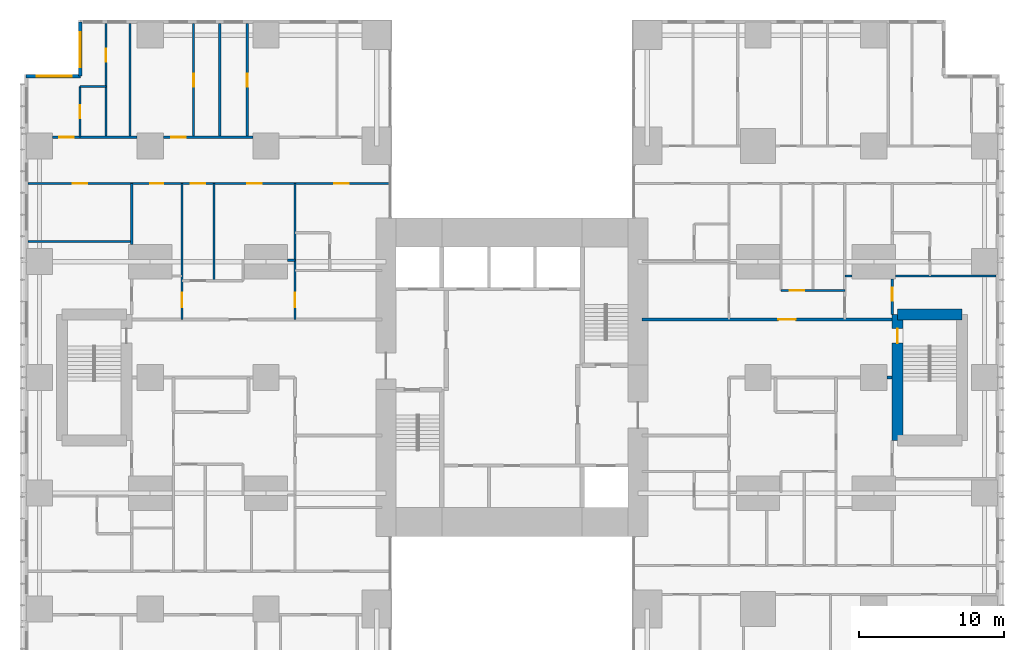
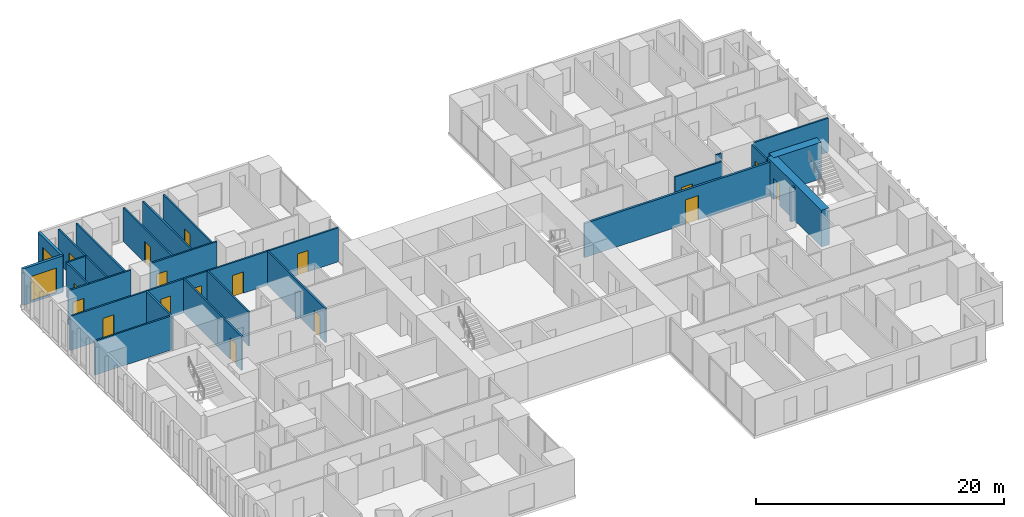
# One storey, part 16 of 20: 26 walls, 17 doors, 2 windows, 19 openings.
"""IFC4 building model written with IfcOpenShell, lengths in metres."""

from ifc_helpers import new_model, si_unit, direction, frame, frame_2d, origin, place, context, subcontext, project, spatial, rectangle, extrude, material, layer, layer_set, type_object, element, fill, save


model = new_model("IFC4")

# Units and contexts
model_context = context("Model", 3, precision=1e-05, world=origin(), true_north=direction((0.0, 1.0)))
body_context = subcontext(model_context, "Body", "Model", "MODEL_VIEW")
ifc_project = project(units=[si_unit("LENGTHUNIT", "METRE"), si_unit("AREAUNIT", "SQUARE_METRE"), si_unit("VOLUMEUNIT", "CUBIC_METRE"), si_unit("PLANEANGLEUNIT", "RADIAN"), si_unit("MASSUNIT", "GRAM", prefix="KILO")], contexts=[model_context])

# Site, building, storey
site_placement = place(None, origin())
site = spatial("IfcSite", under=ifc_project, at=site_placement, CompositionType="ELEMENT")
building_placement = place(site_placement, origin())
building = spatial("IfcBuilding", under=site, at=building_placement, Name="Cleftline Residences", CompositionType="ELEMENT")
storey_placement = place(building_placement, frame((0.0, 0.0, 214.60009765625)))
storey = spatial("IfcBuildingStorey", under=building, at=storey_placement, Name="L56", CompositionType="ELEMENT", Elevation=214.60009765625)

# Wall, opening, window
ifc_material_1 = material(Name="Rendered reinforced concrete blockwork", Category="masonry")
ifc_layer_1 = layer(ifc_material_1, 0.25)
ifc_layer_set_1 = layer_set([ifc_layer_1], Name="EXTERNAL WALL 250")
wall_type_1 = type_object("IfcWallType", Name="EXTERNAL WALL 250", PredefinedType="SOLIDWALL", material=ifc_layer_set_1)
wall_1_placement = place(storey_placement, frame((3.175048828125, 48.574951171875, 0.0), z_axis=(0.0, 0.0, 1.0), x_axis=(0.0, -1.0, 0.0)))
wall_1 = element("IfcWall", 1, at=wall_1_placement, inside=storey, type_object=wall_type_1, Name="External wall", PredefinedType="SOLIDWALL", context=body_context, shape_type="SweptSolid", body=[
    extrude(rectangle(XDim=3.75, YDim=0.25, at=frame_2d((1.875, 0.0))), origin(), (0.0, 0.0, 1.0), 3.599853515625),
])
opening_1_placement = place(wall_1_placement, frame((0.737548828125, 0.0, 0.199951171875)))
opening_1 = element("IfcOpeningElement", 2, at=opening_1_placement, cuts=wall_1, Name="Opening W9", PredefinedType="OPENING", context=body_context, shape_type="SweptSolid", body=[
    extrude(rectangle(XDim=2.39990234375, YDim=2.39990234375, at=frame_2d((1.199951171875, 1.199951171875))), frame((0.0, 0.135009765625, 0.0), z_axis=(0.0, -1.0, 0.0), x_axis=(1.0, 0.0, 0.0)), (0.0, 0.0, 1.0), 0.27001953125),
])
ifc_material_2 = material(Name="Aluminium frame, clear double glazing", Category="aluminium")
window_type = type_object("IfcWindowType", Name="WINDOW 2400X2400", PartitioningType="DOUBLE_PANEL_VERTICAL", PredefinedType="WINDOW", material=ifc_material_2)
window_1_placement = place(opening_1_placement, origin())
window_1 = element("IfcWindow", 3, at=window_1_placement, inside=storey, type_object=window_type, Name="Window", OverallHeight=2.39990234375, OverallWidth=2.39990234375, PartitioningType="SINGLE_PANEL", PredefinedType="WINDOW", context=body_context, shape_type="SweptSolid", body=[
    extrude(rectangle(XDim=2.39990234375, YDim=2.39990234375, at=frame_2d((1.199951171875, 1.199951171875))), frame((0.0, 0.030029296875, 0.0), z_axis=(0.0, -1.0, 0.0), x_axis=(1.0, 0.0, 0.0)), (0.0, 0.0, 1.0), 0.06005859375),
])
fill(opening_1, window_1)

wall_2_placement = place(storey_placement, frame((3.175048828125, 44.824951171875, 0.0), z_axis=(0.0, 0.0, 1.0), x_axis=(-1.0, 0.0, 0.0)))
wall_2 = element("IfcWall", 4, at=wall_2_placement, inside=storey, type_object=wall_type_1, Name="External wall", PredefinedType="SOLIDWALL", context=body_context, shape_type="SweptSolid", body=[
    extrude(rectangle(XDim=3.75, YDim=0.25, at=frame_2d((1.875, 0.0))), origin(), (0.0, 0.0, 1.0), 3.599853515625),
])
opening_2_placement = place(wall_2_placement, frame((0.612548828125, 0.0, 0.199951171875)))
opening_2 = element("IfcOpeningElement", 5, at=opening_2_placement, cuts=wall_2, Name="Opening W9", PredefinedType="OPENING", context=body_context, shape_type="SweptSolid", body=[
    extrude(rectangle(XDim=2.39990234375, YDim=2.39990234375, at=frame_2d((1.199951171875, 1.199951171875))), frame((0.0, 0.135009765625, 0.0), z_axis=(0.0, -1.0, 0.0), x_axis=(1.0, 0.0, 0.0)), (0.0, 0.0, 1.0), 0.27001953125),
])
window_2_placement = place(opening_2_placement, origin())
window_2 = element("IfcWindow", 6, at=window_2_placement, inside=storey, type_object=window_type, Name="Window", OverallHeight=2.39990234375, OverallWidth=2.39990234375, PartitioningType="SINGLE_PANEL", PredefinedType="WINDOW", context=body_context, shape_type="SweptSolid", body=[
    extrude(rectangle(XDim=2.39990234375, YDim=2.39990234375, at=frame_2d((1.199951171875, 1.199951171875))), frame((0.0, 0.030029296875, 0.0), z_axis=(0.0, -1.0, 0.0), x_axis=(1.0, 0.0, 0.0)), (0.0, 0.0, 1.0), 0.06005859375),
])
fill(opening_2, window_2)

# Wall
ifc_material_3 = material(Name="Concrete blockwork, fire rated", Category="masonry")
ifc_layer_2 = layer(ifc_material_3, 0.199951171875)
ifc_layer_set_2 = layer_set([ifc_layer_2], Name="FIRE WALL 200")
wall_type_2 = type_object("IfcWallType", Name="FIRE WALL 200", PredefinedType="PARTITIONING", material=ifc_layer_set_2)
wall_3_placement = place(storey_placement, frame((58.89990234375, 24.0, 0.0), z_axis=(0.0, 0.0, 1.0), x_axis=(1.0, 0.0, 0.0)))
element("IfcWall", 7, at=wall_3_placement, inside=storey, type_object=wall_type_2, Name="Fire separating wall", PredefinedType="PARTITIONING", context=body_context, shape_type="SweptSolid", body=[
    extrude(rectangle(XDim=0.375, YDim=0.199951171875, at=frame_2d((0.1875, 0.0))), origin(), (0.0, 0.0, 1.0), 3.349853515625),
])

# Wall, opening, door
wall_4_placement = place(storey_placement, frame((42.0, 28.0, 0.0), z_axis=(0.0, 0.0, 1.0), x_axis=(1.0, 0.0, 0.0)))
wall_4 = element("IfcWall", 8, at=wall_4_placement, inside=storey, type_object=wall_type_2, Name="Fire separating wall", PredefinedType="PARTITIONING", context=body_context, shape_type="SweptSolid", body=[
    extrude(rectangle(XDim=17.27490234375, YDim=0.199951171875, at=frame_2d((8.637451171875, 0.0))), origin(), (0.0, 0.0, 1.0), 3.349853515625),
])
opening_3_placement = place(wall_4_placement, frame((9.39990234375, 0.0, 0.0)))
opening_3 = element("IfcOpeningElement", 9, at=opening_3_placement, cuts=wall_4, Name="Opening D4", PredefinedType="OPENING", context=body_context, shape_type="SweptSolid", body=[
    extrude(rectangle(XDim=1.199951171875, YDim=2.39990234375, at=frame_2d((0.60009765625, 1.199951171875))), frame((0.0, 0.10986328125, 0.0), z_axis=(0.0, -1.0, 0.0), x_axis=(1.0, 0.0, 0.0)), (0.0, 0.0, 1.0), 0.219970703125),
])
ifc_material_4 = material(Name="Timber veneer on solid core", Category="wood")
door_type_1 = type_object("IfcDoorType", Name="APARTMENT ENTRANCE DOOR 1200X2400", OperationType="SINGLE_SWING_RIGHT", PredefinedType="DOOR", material=ifc_material_4)
door_1_placement = place(opening_3_placement, origin())
door_1 = element("IfcDoor", 10, at=door_1_placement, inside=storey, type_object=door_type_1, Name="Door to residence entrance (gallery)", OperationType="SINGLE_SWING_LEFT", OverallHeight=2.39990234375, OverallWidth=1.199951171875, PredefinedType="DOOR", context=body_context, shape_type="SweptSolid", body=[
    extrude(rectangle(XDim=1.199951171875, YDim=2.39990234375, at=frame_2d((0.60009765625, 1.199951171875))), frame((0.0, 0.02490234375, 0.0), z_axis=(0.0, -1.0, 0.0), x_axis=(1.0, 0.0, 0.0)), (0.0, 0.0, 1.0), 0.050048828125),
])
fill(opening_3, door_1)

ifc_material_5 = material(Name="Gypsum board on steel studs", Category="steel")
ifc_layer_3 = layer(ifc_material_5, 0.14990234375)
ifc_layer_set_3 = layer_set([ifc_layer_3], Name="PARTITION 150")
wall_type_3 = type_object("IfcWallType", Name="PARTITION 150", PredefinedType="PARTITIONING", material=ifc_layer_set_3)
wall_5_placement = place(storey_placement, frame((51.60009765625, 30.0, 0.0), z_axis=(0.0, 0.0, 1.0), x_axis=(1.0, 0.0, 0.0)))
wall_5 = element("IfcWall", 11, at=wall_5_placement, inside=storey, type_object=wall_type_3, Name="Partition", PredefinedType="PARTITIONING", context=body_context, shape_type="SweptSolid", body=[
    extrude(rectangle(XDim=4.39990234375, YDim=0.14990234375, at=frame_2d((2.199951171875, 0.0))), origin(), (0.0, 0.0, 1.0), 3.349853515625),
])
opening_4_placement = place(wall_5_placement, frame((0.60009765625, 0.0, 0.0)))
opening_4 = element("IfcOpeningElement", 12, at=opening_4_placement, cuts=wall_5, Name="Opening D2", PredefinedType="OPENING", context=body_context, shape_type="SweptSolid", body=[
    extrude(rectangle(XDim=1.0, YDim=2.10009765625, at=frame_2d((0.5, 1.050048828125))), frame((0.0, 0.0849609375, 0.0), z_axis=(0.0, -1.0, 0.0), x_axis=(1.0, 0.0, 0.0)), (0.0, 0.0, 1.0), 0.169921875),
])
ifc_material_6 = material(Name="Timber veneer on solid core", Category="wood")
door_type_2 = type_object("IfcDoorType", Name="DOOR 1000X2100", OperationType="SINGLE_SWING_LEFT", PredefinedType="DOOR", material=ifc_material_6)
door_2_placement = place(opening_4_placement, origin())
door_2 = element("IfcDoor", 13, at=door_2_placement, inside=storey, type_object=door_type_2, Name="Door to residence passage", OperationType="SINGLE_SWING_RIGHT", OverallHeight=2.10009765625, OverallWidth=1.0, PredefinedType="DOOR", context=body_context, shape_type="SweptSolid", body=[
    extrude(rectangle(XDim=1.0, YDim=2.10009765625, at=frame_2d((0.5, 1.050048828125))), frame((0.0, 0.02490234375, 0.0), z_axis=(0.0, -1.0, 0.0), x_axis=(1.0, 0.0, 0.0)), (0.0, 0.0, 1.0), 0.050048828125),
])
fill(opening_4, door_2)

# Walls
wall_6_placement = place(storey_placement, frame((56.0, 31.0, 0.0), z_axis=(0.0, 0.0, 1.0), x_axis=(1.0, 0.0, 0.0)))
element("IfcWall", 14, at=wall_6_placement, inside=storey, type_object=wall_type_3, Name="Partition", PredefinedType="PARTITIONING", context=body_context, shape_type="SweptSolid", body=[
    extrude(rectangle(XDim=0.5, YDim=0.14990234375, at=frame_2d((0.25, 0.0))), origin(), (0.0, 0.0, 1.0), 3.349853515625),
])
wall_7_placement = place(storey_placement, frame((59.5, 31.0, 0.0), z_axis=(0.0, 0.0, 1.0), x_axis=(1.0, 0.0, 0.0)))
element("IfcWall", 15, at=wall_7_placement, inside=storey, type_object=wall_type_3, Name="Partition", PredefinedType="PARTITIONING", context=body_context, shape_type="SweptSolid", body=[
    extrude(rectangle(XDim=6.949951171875, YDim=0.14990234375, at=frame_2d((3.47509765625, 0.0))), origin(), (0.0, 0.0, 1.0), 3.349853515625),
])
wall_8_placement = place(storey_placement, frame((17.5, 32.10009765625, 0.0), z_axis=(0.0, 0.0, 1.0), x_axis=(1.0, 0.0, 0.0)))
element("IfcWall", 16, at=wall_8_placement, inside=storey, type_object=wall_type_3, Name="Partition", PredefinedType="PARTITIONING", context=body_context, shape_type="SweptSolid", body=[
    extrude(rectangle(XDim=0.5, YDim=0.14990234375, at=frame_2d((0.25, 0.0))), origin(), (0.0, 0.0, 1.0), 2.6337890625),
])
wall_9_placement = place(storey_placement, frame((-0.449951171875, 33.39990234375, 0.0), z_axis=(0.0, 0.0, 1.0), x_axis=(1.0, 0.0, 0.0)))
element("IfcWall", 17, at=wall_9_placement, inside=storey, type_object=wall_type_3, Name="Partition", PredefinedType="PARTITIONING", context=body_context, shape_type="SweptSolid", body=[
    extrude(rectangle(XDim=7.175048828125, YDim=0.14990234375, at=frame_2d((3.58740234375, 0.0))), origin(), (0.0, 0.0, 1.0), 3.349853515625),
])

# Wall, openings, doors
wall_10_placement = place(storey_placement, frame((-0.449951171875, 37.39990234375, 0.0), z_axis=(0.0, 0.0, 1.0), x_axis=(1.0, 0.0, 0.0)))
wall_10 = element("IfcWall", 18, at=wall_10_placement, inside=storey, type_object=wall_type_3, Name="Partition", PredefinedType="PARTITIONING", context=body_context, shape_type="SweptSolid", body=[
    extrude(rectangle(XDim=25.010986328125, YDim=0.14990234375, at=frame_2d((12.50537109375, 0.0))), origin(), (0.0, 0.0, 1.0), 3.349853515625),
])
opening_5_placement = place(wall_10_placement, frame((11.25, 0.0, 0.0)))
opening_5 = element("IfcOpeningElement", 19, at=opening_5_placement, cuts=wall_10, Name="Opening D2", PredefinedType="OPENING", context=body_context, shape_type="SweptSolid", body=[
    extrude(rectangle(XDim=1.0, YDim=2.10009765625, at=frame_2d((0.5, 1.050048828125))), frame((0.0, 0.0849609375, 0.0), z_axis=(0.0, -1.0, 0.0), x_axis=(1.0, 0.0, 0.0)), (0.0, 0.0, 1.0), 0.169921875),
])
opening_6_placement = place(wall_10_placement, frame((3.08740234375, 0.0, 0.0)))
opening_6 = element("IfcOpeningElement", 20, at=opening_6_placement, cuts=wall_10, Name="Opening D2", PredefinedType="OPENING", context=body_context, shape_type="SweptSolid", body=[
    extrude(rectangle(XDim=1.0, YDim=2.10009765625, at=frame_2d((0.5, 1.050048828125))), frame((0.0, 0.0849609375, 0.0), z_axis=(0.0, -1.0, 0.0), x_axis=(1.0, 0.0, 0.0)), (0.0, 0.0, 1.0), 0.169921875),
])
opening_7_placement = place(wall_10_placement, frame((8.46240234375, 0.0, 0.0)))
opening_7 = element("IfcOpeningElement", 21, at=opening_7_placement, cuts=wall_10, Name="Opening D1", PredefinedType="OPENING", context=body_context, shape_type="SweptSolid", body=[
    extrude(rectangle(XDim=0.89990234375, YDim=2.10009765625, at=frame_2d((0.449951171875, 1.050048828125))), frame((0.0, 0.0849609375, 0.0), z_axis=(0.0, -1.0, 0.0), x_axis=(1.0, 0.0, 0.0)), (0.0, 0.0, 1.0), 0.169921875),
])
opening_8_placement = place(wall_10_placement, frame((15.14990234375, 0.0, 0.0)))
opening_8 = element("IfcOpeningElement", 22, at=opening_8_placement, cuts=wall_10, Name="Opening D2", PredefinedType="OPENING", context=body_context, shape_type="SweptSolid", body=[
    extrude(rectangle(XDim=1.0, YDim=2.10009765625, at=frame_2d((0.5, 1.050048828125))), frame((0.0, 0.0849609375, 0.0), z_axis=(0.0, -1.0, 0.0), x_axis=(1.0, 0.0, 0.0)), (0.0, 0.0, 1.0), 0.169921875),
])
opening_9_placement = place(wall_10_placement, frame((21.175048828125, 0.0, 0.0)))
opening_9 = element("IfcOpeningElement", 23, at=opening_9_placement, cuts=wall_10, Name="Opening D2", PredefinedType="OPENING", context=body_context, shape_type="SweptSolid", body=[
    extrude(rectangle(XDim=1.0, YDim=2.10009765625, at=frame_2d((0.5, 1.050048828125))), frame((0.0, 0.0849609375, 0.0), z_axis=(0.0, -1.0, 0.0), x_axis=(1.0, 0.0, 0.0)), (0.0, 0.0, 1.0), 0.169921875),
])
door_3_placement = place(opening_5_placement, origin())
door_3 = element("IfcDoor", 24, at=door_3_placement, inside=storey, type_object=door_type_2, Name="Door to residence hall", OperationType="SINGLE_SWING_RIGHT", OverallHeight=2.10009765625, OverallWidth=1.0, PredefinedType="DOOR", context=body_context, shape_type="SweptSolid", body=[
    extrude(rectangle(XDim=1.0, YDim=2.10009765625, at=frame_2d((0.5, 1.050048828125))), frame((0.0, 0.02490234375, 0.0), z_axis=(0.0, -1.0, 0.0), x_axis=(1.0, 0.0, 0.0)), (0.0, 0.0, 1.0), 0.050048828125),
])
fill(opening_5, door_3)
door_4_placement = place(opening_6_placement, origin())
door_4 = element("IfcDoor", 25, at=door_4_placement, inside=storey, type_object=door_type_2, Name="Door to study", OperationType="SINGLE_SWING_RIGHT", OverallHeight=2.10009765625, OverallWidth=1.0, PredefinedType="DOOR", context=body_context, shape_type="SweptSolid", body=[
    extrude(rectangle(XDim=1.0, YDim=2.10009765625, at=frame_2d((0.5, 1.050048828125))), frame((0.0, 0.02490234375, 0.0), z_axis=(0.0, -1.0, 0.0), x_axis=(1.0, 0.0, 0.0)), (0.0, 0.0, 1.0), 0.050048828125),
])
fill(opening_6, door_4)
door_5_placement = place(opening_8_placement, origin())
door_5 = element("IfcDoor", 26, at=door_5_placement, inside=storey, type_object=door_type_2, Name="Door to media room", OperationType="SINGLE_SWING_LEFT", OverallHeight=2.10009765625, OverallWidth=1.0, PredefinedType="DOOR", context=body_context, shape_type="SweptSolid", body=[
    extrude(rectangle(XDim=1.0, YDim=2.10009765625, at=frame_2d((0.5, 1.050048828125))), frame((0.0, 0.02490234375, 0.0), z_axis=(0.0, -1.0, 0.0), x_axis=(1.0, 0.0, 0.0)), (0.0, 0.0, 1.0), 0.050048828125),
])
fill(opening_8, door_5)
door_6_placement = place(opening_9_placement, origin())
door_6 = element("IfcDoor", 27, at=door_6_placement, inside=storey, type_object=door_type_2, Name="Door to bedroom 4", OperationType="SINGLE_SWING_LEFT", OverallHeight=2.10009765625, OverallWidth=1.0, PredefinedType="DOOR", context=body_context, shape_type="SweptSolid", body=[
    extrude(rectangle(XDim=1.0, YDim=2.10009765625, at=frame_2d((0.5, 1.050048828125))), frame((0.0, 0.02490234375, 0.0), z_axis=(0.0, -1.0, 0.0), x_axis=(1.0, 0.0, 0.0)), (0.0, 0.0, 1.0), 0.050048828125),
])
fill(opening_9, door_6)
ifc_material_7 = material(Name="Timber veneer on solid core", Category="wood")
door_type_3 = type_object("IfcDoorType", Name="DOOR 900X2100", OperationType="SINGLE_SWING_LEFT", PredefinedType="DOOR", material=ifc_material_7)
door_7_placement = place(opening_7_placement, origin())
door_7 = element("IfcDoor", 28, at=door_7_placement, inside=storey, type_object=door_type_3, Name="Door to guest bathroom", OperationType="SINGLE_SWING_RIGHT", OverallHeight=2.10009765625, OverallWidth=0.89990234375, PredefinedType="DOOR", context=body_context, shape_type="SweptSolid", body=[
    extrude(rectangle(XDim=0.89990234375, YDim=2.10009765625, at=frame_2d((0.449951171875, 1.050048828125))), frame((0.0, 0.02490234375, 0.0), z_axis=(0.0, -1.0, 0.0), x_axis=(1.0, 0.0, 0.0)), (0.0, 0.0, 1.0), 0.050048828125),
])
fill(opening_7, door_7)

# Wall, opening, door
wall_11_placement = place(storey_placement, frame((1.25, 40.60009765625, 0.0), z_axis=(0.0, 0.0, 1.0), x_axis=(1.0, 0.0, 0.0)))
wall_11 = element("IfcWall", 29, at=wall_11_placement, inside=storey, type_object=wall_type_3, Name="Partition", PredefinedType="PARTITIONING", context=body_context, shape_type="SweptSolid", body=[
    extrude(rectangle(XDim=5.85009765625, YDim=0.14990234375, at=frame_2d((2.925048828125, 0.0))), origin(), (0.0, 0.0, 1.0), 3.349853515625),
])
opening_10_placement = place(wall_11_placement, frame((0.449951171875, 0.0, 0.0)))
opening_10 = element("IfcOpeningElement", 30, at=opening_10_placement, cuts=wall_11, Name="Opening D2", PredefinedType="OPENING", context=body_context, shape_type="SweptSolid", body=[
    extrude(rectangle(XDim=1.0, YDim=2.10009765625, at=frame_2d((0.5, 1.050048828125))), frame((0.0, 0.0849609375, 0.0), z_axis=(0.0, -1.0, 0.0), x_axis=(1.0, 0.0, 0.0)), (0.0, 0.0, 1.0), 0.169921875),
])
door_8_placement = place(opening_10_placement, origin())
door_8 = element("IfcDoor", 31, at=door_8_placement, inside=storey, type_object=door_type_2, Name="Door to bedroom 2", OperationType="SINGLE_SWING_RIGHT", OverallHeight=2.10009765625, OverallWidth=1.0, PredefinedType="DOOR", context=body_context, shape_type="SweptSolid", body=[
    extrude(rectangle(XDim=1.0, YDim=2.10009765625, at=frame_2d((0.5, 1.050048828125))), frame((0.0, 0.02490234375, 0.0), z_axis=(0.0, -1.0, 0.0), x_axis=(1.0, 0.0, 0.0)), (0.0, 0.0, 1.0), 0.050048828125),
])
fill(opening_10, door_8)

wall_12_placement = place(storey_placement, frame((8.89990234375, 40.60009765625, 0.0), z_axis=(0.0, 0.0, 1.0), x_axis=(1.0, 0.0, 0.0)))
wall_12 = element("IfcWall", 32, at=wall_12_placement, inside=storey, type_object=wall_type_3, Name="Partition", PredefinedType="PARTITIONING", context=body_context, shape_type="SweptSolid", body=[
    extrude(rectangle(XDim=6.2001953125, YDim=0.14990234375, at=frame_2d((3.10009765625, 0.0))), origin(), (0.0, 0.0, 1.0), 3.349853515625),
])
opening_11_placement = place(wall_12_placement, frame((0.550048828125, 0.0, 0.0)))
opening_11 = element("IfcOpeningElement", 33, at=opening_11_placement, cuts=wall_12, Name="Opening D2", PredefinedType="OPENING", context=body_context, shape_type="SweptSolid", body=[
    extrude(rectangle(XDim=1.0, YDim=2.10009765625, at=frame_2d((0.5, 1.050048828125))), frame((0.0, 0.0849609375, 0.0), z_axis=(0.0, -1.0, 0.0), x_axis=(1.0, 0.0, 0.0)), (0.0, 0.0, 1.0), 0.169921875),
])
door_9_placement = place(opening_11_placement, origin())
door_9 = element("IfcDoor", 34, at=door_9_placement, inside=storey, type_object=door_type_2, Name="Door to bedroom 3", OperationType="SINGLE_SWING_RIGHT", OverallHeight=2.10009765625, OverallWidth=1.0, PredefinedType="DOOR", context=body_context, shape_type="SweptSolid", body=[
    extrude(rectangle(XDim=1.0, YDim=2.10009765625, at=frame_2d((0.5, 1.050048828125))), frame((0.0, 0.02490234375, 0.0), z_axis=(0.0, -1.0, 0.0), x_axis=(1.0, 0.0, 0.0)), (0.0, 0.0, 1.0), 0.050048828125),
])
fill(opening_11, door_9)

# Wall
wall_13_placement = place(storey_placement, frame((3.14990234375, 44.10009765625, 0.0), z_axis=(0.0, 0.0, 1.0), x_axis=(1.0, 0.0, 0.0)))
element("IfcWall", 35, at=wall_13_placement, inside=storey, type_object=wall_type_3, Name="Partition", PredefinedType="PARTITIONING", context=body_context, shape_type="SweptSolid", body=[
    extrude(rectangle(XDim=1.800048828125, YDim=0.14990234375, at=frame_2d((0.89990234375, 0.0))), origin(), (0.0, 0.0, 1.0), 3.349853515625),
])

# Wall, opening, door
wall_14_placement = place(storey_placement, frame((3.14990234375, 40.60009765625, 0.0), z_axis=(0.0, 0.0, 1.0), x_axis=(0.0, 1.0, 0.0)))
wall_14 = element("IfcWall", 36, at=wall_14_placement, inside=storey, type_object=wall_type_3, Name="Partition", PredefinedType="PARTITIONING", context=body_context, shape_type="SweptSolid", body=[
    extrude(rectangle(XDim=3.5, YDim=0.14990234375, at=frame_2d((1.75, 0.0))), origin(), (0.0, 0.0, 1.0), 3.349853515625),
])
opening_12_placement = place(wall_14_placement, frame((1.300048828125, 0.0, 0.0)))
opening_12 = element("IfcOpeningElement", 37, at=opening_12_placement, cuts=wall_14, Name="Opening D1", PredefinedType="OPENING", context=body_context, shape_type="SweptSolid", body=[
    extrude(rectangle(XDim=0.89990234375, YDim=2.10009765625, at=frame_2d((0.449951171875, 1.050048828125))), frame((0.0, 0.0849609375, 0.0), z_axis=(0.0, -1.0, 0.0), x_axis=(1.0, 0.0, 0.0)), (0.0, 0.0, 1.0), 0.169921875),
])
door_10_placement = place(opening_12_placement, origin())
door_10 = element("IfcDoor", 38, at=door_10_placement, inside=storey, type_object=door_type_3, Name="Door to en-suite bathroom 2", OperationType="SINGLE_SWING_LEFT", OverallHeight=2.10009765625, OverallWidth=0.89990234375, PredefinedType="DOOR", context=body_context, shape_type="SweptSolid", body=[
    extrude(rectangle(XDim=0.89990234375, YDim=2.10009765625, at=frame_2d((0.449951171875, 1.050048828125))), frame((0.0, 0.02490234375, 0.0), z_axis=(0.0, -1.0, 0.0), x_axis=(1.0, 0.0, 0.0)), (0.0, 0.0, 1.0), 0.050048828125),
])
fill(opening_12, door_10)

wall_15_placement = place(storey_placement, frame((4.949951171875, 40.60009765625, 0.0), z_axis=(0.0, 0.0, 1.0), x_axis=(0.0, 1.0, 0.0)))
wall_15 = element("IfcWall", 39, at=wall_15_placement, inside=storey, type_object=wall_type_3, Name="Partition", PredefinedType="PARTITIONING", context=body_context, shape_type="SweptSolid", body=[
    extrude(rectangle(XDim=7.849853515625, YDim=0.14990234375, at=frame_2d((3.9248046875, 0.0))), origin(), (0.0, 0.0, 1.0), 3.349853515625),
])
opening_13_placement = place(wall_15_placement, frame((5.22509765625, 0.0, 0.0)))
opening_13 = element("IfcOpeningElement", 40, at=opening_13_placement, cuts=wall_15, Name="Opening D1", PredefinedType="OPENING", context=body_context, shape_type="SweptSolid", body=[
    extrude(rectangle(XDim=0.89990234375, YDim=2.10009765625, at=frame_2d((0.449951171875, 1.050048828125))), frame((0.0, 0.0849609375, 0.0), z_axis=(0.0, -1.0, 0.0), x_axis=(1.0, 0.0, 0.0)), (0.0, 0.0, 1.0), 0.169921875),
])
door_11_placement = place(opening_13_placement, origin())
door_11 = element("IfcDoor", 41, at=door_11_placement, inside=storey, type_object=door_type_3, Name="Door to walk-in wardrobe", OperationType="SINGLE_SWING_LEFT", OverallHeight=2.10009765625, OverallWidth=0.89990234375, PredefinedType="DOOR", context=body_context, shape_type="SweptSolid", body=[
    extrude(rectangle(XDim=0.89990234375, YDim=2.10009765625, at=frame_2d((0.449951171875, 1.050048828125))), frame((0.0, 0.02490234375, 0.0), z_axis=(0.0, -1.0, 0.0), x_axis=(1.0, 0.0, 0.0)), (0.0, 0.0, 1.0), 0.050048828125),
])
fill(opening_13, door_11)

# Walls
wall_16_placement = place(storey_placement, frame((6.60009765625, 40.60009765625, 0.0), z_axis=(0.0, 0.0, 1.0), x_axis=(0.0, 1.0, 0.0)))
element("IfcWall", 42, at=wall_16_placement, inside=storey, type_object=wall_type_3, Name="Partition", PredefinedType="PARTITIONING", context=body_context, shape_type="SweptSolid", body=[
    extrude(rectangle(XDim=7.849853515625, YDim=0.14990234375, at=frame_2d((3.9248046875, 0.0))), origin(), (0.0, 0.0, 1.0), 3.349853515625),
])
wall_17_placement = place(storey_placement, frame((6.72509765625, 33.199951171875, 0.0), z_axis=(0.0, 0.0, 1.0), x_axis=(0.0, 1.0, 0.0)))
element("IfcWall", 43, at=wall_17_placement, inside=storey, type_object=wall_type_3, Name="Partition", PredefinedType="PARTITIONING", context=body_context, shape_type="SweptSolid", body=[
    extrude(rectangle(XDim=4.199951171875, YDim=0.14990234375, at=frame_2d((2.10009765625, 0.0))), origin(), (0.0, 0.0, 1.0), 3.349853515625),
])

# Wall, opening, door
wall_18_placement = place(storey_placement, frame((10.199951171875, 28.0, 0.0), z_axis=(0.0, 0.0, 1.0), x_axis=(0.0, 1.0, 0.0)))
wall_18 = element("IfcWall", 44, at=wall_18_placement, inside=storey, type_object=wall_type_3, Name="Partition", PredefinedType="PARTITIONING", context=body_context, shape_type="SweptSolid", body=[
    extrude(rectangle(XDim=9.39990234375, YDim=0.14990234375, at=frame_2d((4.699951171875, 0.0))), origin(), (0.0, 0.0, 1.0), 3.349853515625),
])
opening_14_placement = place(wall_18_placement, frame((0.83740234375, 0.0, 0.0)))
opening_14 = element("IfcOpeningElement", 45, at=opening_14_placement, cuts=wall_18, Name="Opening D2F30", PredefinedType="OPENING", context=body_context, shape_type="SweptSolid", body=[
    extrude(rectangle(XDim=1.0, YDim=2.10009765625, at=frame_2d((0.5, 1.050048828125))), frame((0.0, 0.0849609375, 0.0), z_axis=(0.0, -1.0, 0.0), x_axis=(1.0, 0.0, 0.0)), (0.0, 0.0, 1.0), 0.169921875),
])
ifc_material_8 = material(Name="Timber veneer on solid core", Category="wood")
door_type_4 = type_object("IfcDoorType", Name="DOOR 1000X2100 EI 30", OperationType="SINGLE_SWING_LEFT", PredefinedType="DOOR", material=ifc_material_8)
door_12_placement = place(opening_14_placement, origin())
door_12 = element("IfcDoor", 46, at=door_12_placement, inside=storey, type_object=door_type_4, Name="Door to residence lobby (service)", OperationType="SINGLE_SWING_RIGHT", OverallHeight=2.10009765625, OverallWidth=1.0, PredefinedType="DOOR", context=body_context, shape_type="SweptSolid", body=[
    extrude(rectangle(XDim=1.0, YDim=2.10009765625, at=frame_2d((0.5, 1.050048828125))), frame((0.0, 0.02490234375, 0.0), z_axis=(0.0, -1.0, 0.0), x_axis=(1.0, 0.0, 0.0)), (0.0, 0.0, 1.0), 0.050048828125),
])
fill(opening_14, door_12)

wall_19_placement = place(storey_placement, frame((11.0, 40.60009765625, 0.0), z_axis=(0.0, 0.0, 1.0), x_axis=(0.0, 1.0, 0.0)))
wall_19 = element("IfcWall", 47, at=wall_19_placement, inside=storey, type_object=wall_type_3, Name="Partition", PredefinedType="PARTITIONING", context=body_context, shape_type="SweptSolid", body=[
    extrude(rectangle(XDim=7.849853515625, YDim=0.14990234375, at=frame_2d((3.9248046875, 0.0))), origin(), (0.0, 0.0, 1.0), 3.349853515625),
])
opening_15_placement = place(wall_19_placement, frame((3.47509765625, 0.0, 0.0)))
opening_15 = element("IfcOpeningElement", 48, at=opening_15_placement, cuts=wall_19, Name="Opening D1", PredefinedType="OPENING", context=body_context, shape_type="SweptSolid", body=[
    extrude(rectangle(XDim=0.89990234375, YDim=2.10009765625, at=frame_2d((0.449951171875, 1.050048828125))), frame((0.0, 0.0849609375, 0.0), z_axis=(0.0, -1.0, 0.0), x_axis=(1.0, 0.0, 0.0)), (0.0, 0.0, 1.0), 0.169921875),
])
door_13_placement = place(opening_15_placement, origin())
door_13 = element("IfcDoor", 49, at=door_13_placement, inside=storey, type_object=door_type_3, Name="Door to en-suite bathroom 3", OperationType="SINGLE_SWING_LEFT", OverallHeight=2.10009765625, OverallWidth=0.89990234375, PredefinedType="DOOR", context=body_context, shape_type="SweptSolid", body=[
    extrude(rectangle(XDim=0.89990234375, YDim=2.10009765625, at=frame_2d((0.449951171875, 1.050048828125))), frame((0.0, 0.02490234375, 0.0), z_axis=(0.0, -1.0, 0.0), x_axis=(1.0, 0.0, 0.0)), (0.0, 0.0, 1.0), 0.050048828125),
])
fill(opening_15, door_13)

# Walls
wall_20_placement = place(storey_placement, frame((12.39990234375, 30.675048828125, 0.0), z_axis=(0.0, 0.0, 1.0), x_axis=(0.0, 1.0, 0.0)))
element("IfcWall", 50, at=wall_20_placement, inside=storey, type_object=wall_type_3, Name="Partition", PredefinedType="PARTITIONING", context=body_context, shape_type="SweptSolid", body=[
    extrude(rectangle(XDim=6.724853515625, YDim=0.14990234375, at=frame_2d((3.3623046875, 0.0))), origin(), (0.0, 0.0, 1.0), 3.349853515625),
])
wall_21_placement = place(storey_placement, frame((12.800048828125, 40.60009765625, 0.0), z_axis=(0.0, 0.0, 1.0), x_axis=(0.0, 1.0, 0.0)))
element("IfcWall", 51, at=wall_21_placement, inside=storey, type_object=wall_type_3, Name="Partition", PredefinedType="PARTITIONING", context=body_context, shape_type="SweptSolid", body=[
    extrude(rectangle(XDim=7.849853515625, YDim=0.14990234375, at=frame_2d((3.9248046875, 0.0))), origin(), (0.0, 0.0, 1.0), 3.349853515625),
])

# Wall, opening, door
wall_22_placement = place(storey_placement, frame((14.699951171875, 40.60009765625, 0.0), z_axis=(0.0, 0.0, 1.0), x_axis=(0.0, 1.0, 0.0)))
wall_22 = element("IfcWall", 52, at=wall_22_placement, inside=storey, type_object=wall_type_3, Name="Partition", PredefinedType="PARTITIONING", context=body_context, shape_type="SweptSolid", body=[
    extrude(rectangle(XDim=7.849853515625, YDim=0.14990234375, at=frame_2d((3.9248046875, 0.0))), origin(), (0.0, 0.0, 1.0), 3.349853515625),
])
opening_16_placement = place(wall_22_placement, frame((3.47509765625, 0.0, 0.0)))
opening_16 = element("IfcOpeningElement", 53, at=opening_16_placement, cuts=wall_22, Name="Opening D1", PredefinedType="OPENING", context=body_context, shape_type="SweptSolid", body=[
    extrude(rectangle(XDim=0.89990234375, YDim=2.10009765625, at=frame_2d((0.449951171875, 1.050048828125))), frame((0.0, 0.0849609375, 0.0), z_axis=(0.0, -1.0, 0.0), x_axis=(1.0, 0.0, 0.0)), (0.0, 0.0, 1.0), 0.169921875),
])
door_14_placement = place(opening_16_placement, origin())
door_14 = element("IfcDoor", 54, at=door_14_placement, inside=storey, type_object=door_type_3, Name="Door to master bathroom", OperationType="SINGLE_SWING_LEFT", OverallHeight=2.10009765625, OverallWidth=0.89990234375, PredefinedType="DOOR", context=body_context, shape_type="SweptSolid", body=[
    extrude(rectangle(XDim=0.89990234375, YDim=2.10009765625, at=frame_2d((0.449951171875, 1.050048828125))), frame((0.0, 0.02490234375, 0.0), z_axis=(0.0, -1.0, 0.0), x_axis=(1.0, 0.0, 0.0)), (0.0, 0.0, 1.0), 0.050048828125),
])
fill(opening_16, door_14)

wall_23_placement = place(storey_placement, frame((18.0, 28.0, 0.0), z_axis=(0.0, 0.0, 1.0), x_axis=(0.0, 1.0, 0.0)))
wall_23 = element("IfcWall", 55, at=wall_23_placement, inside=storey, type_object=wall_type_3, Name="Partition", PredefinedType="PARTITIONING", context=body_context, shape_type="SweptSolid", body=[
    extrude(rectangle(XDim=9.39990234375, YDim=0.14990234375, at=frame_2d((4.699951171875, 0.0))), origin(), (0.0, 0.0, 1.0), 3.349853515625),
])
opening_17_placement = place(wall_23_placement, frame((0.83740234375, 0.0, 0.0)))
opening_17 = element("IfcOpeningElement", 56, at=opening_17_placement, cuts=wall_23, Name="Opening D2", PredefinedType="OPENING", context=body_context, shape_type="SweptSolid", body=[
    extrude(rectangle(XDim=1.0, YDim=2.10009765625, at=frame_2d((0.5, 1.050048828125))), frame((0.0, 0.0849609375, 0.0), z_axis=(0.0, -1.0, 0.0), x_axis=(1.0, 0.0, 0.0)), (0.0, 0.0, 1.0), 0.169921875),
])
door_15_placement = place(opening_17_placement, origin())
door_15 = element("IfcDoor", 57, at=door_15_placement, inside=storey, type_object=door_type_2, Name="Door to morning kitchen", OperationType="SINGLE_SWING_RIGHT", OverallHeight=2.10009765625, OverallWidth=1.0, PredefinedType="DOOR", context=body_context, shape_type="SweptSolid", body=[
    extrude(rectangle(XDim=1.0, YDim=2.10009765625, at=frame_2d((0.5, 1.050048828125))), frame((0.0, 0.02490234375, 0.0), z_axis=(0.0, -1.0, 0.0), x_axis=(1.0, 0.0, 0.0)), (0.0, 0.0, 1.0), 0.050048828125),
])
fill(opening_17, door_15)

wall_24_placement = place(storey_placement, frame((59.27490234375, 28.35009765625, 0.0), z_axis=(0.0, 0.0, 1.0), x_axis=(0.0, 1.0, 0.0)))
wall_24 = element("IfcWall", 58, at=wall_24_placement, inside=storey, type_object=wall_type_3, Name="Partition", PredefinedType="PARTITIONING", context=body_context, shape_type="SweptSolid", body=[
    extrude(rectangle(XDim=2.449951171875, YDim=0.14990234375, at=frame_2d((1.22509765625, 0.0))), origin(), (0.0, 0.0, 1.0), 3.349853515625),
])
opening_18_placement = place(wall_24_placement, frame((0.96240234375, 0.0, 0.0)))
opening_18 = element("IfcOpeningElement", 59, at=opening_18_placement, cuts=wall_24, Name="Opening D1", PredefinedType="OPENING", context=body_context, shape_type="SweptSolid", body=[
    extrude(rectangle(XDim=0.89990234375, YDim=2.10009765625, at=frame_2d((0.449951171875, 1.050048828125))), frame((0.0, 0.0849609375, 0.0), z_axis=(0.0, -1.0, 0.0), x_axis=(1.0, 0.0, 0.0)), (0.0, 0.0, 1.0), 0.169921875),
])
door_16_placement = place(opening_18_placement, origin())
door_16 = element("IfcDoor", 60, at=door_16_placement, inside=storey, type_object=door_type_3, Name="Door to master dressing room", OperationType="SINGLE_SWING_LEFT", OverallHeight=2.10009765625, OverallWidth=0.89990234375, PredefinedType="DOOR", context=body_context, shape_type="SweptSolid", body=[
    extrude(rectangle(XDim=0.89990234375, YDim=2.10009765625, at=frame_2d((0.449951171875, 1.050048828125))), frame((0.0, 0.02490234375, 0.0), z_axis=(0.0, -1.0, 0.0), x_axis=(1.0, 0.0, 0.0)), (0.0, 0.0, 1.0), 0.050048828125),
])
fill(opening_18, door_16)

# Wall
ifc_material_9 = material(Name="Concrete B70", Category="concrete")
ifc_layer_4 = layer(ifc_material_9, 0.75)
ifc_layer_set_4 = layer_set([ifc_layer_4], Name="SHEAR WALL 750")
wall_type_4 = type_object("IfcWallType", Name="SHEAR WALL 750", PredefinedType="SHEAR", material=ifc_layer_set_4)
wall_25_placement = place(storey_placement, frame((64.10009765625, 28.35009765625, 0.0), z_axis=(0.0, 0.0, 1.0), x_axis=(-1.0, 0.0, 0.0)))
element("IfcWall", 61, at=wall_25_placement, inside=storey, type_object=wall_type_4, Name="Wing shear wall", PredefinedType="SHEAR", context=body_context, shape_type="SweptSolid", body=[
    extrude(rectangle(XDim=4.4501953125, YDim=0.75, at=frame_2d((2.22509765625, 0.0))), origin(), (0.0, 0.0, 1.0), 3.599853515625),
])

# Wall, opening, door
wall_26_placement = place(storey_placement, frame((59.64990234375, 28.35009765625, 0.0), z_axis=(0.0, 0.0, 1.0), x_axis=(0.0, -1.0, 0.0)))
wall_26 = element("IfcWall", 62, at=wall_26_placement, inside=storey, type_object=wall_type_4, Name="Wing shear wall", PredefinedType="SHEAR", context=body_context, shape_type="SweptSolid", body=[
    extrude(rectangle(XDim=8.7001953125, YDim=0.75, at=frame_2d((4.35009765625, 0.0))), origin(), (0.0, 0.0, 1.0), 3.599853515625),
])
opening_19_placement = place(wall_26_placement, frame((0.97509765625, 0.0, 0.0)))
opening_19 = element("IfcOpeningElement", 63, at=opening_19_placement, cuts=wall_26, Name="Opening D5", PredefinedType="OPENING", context=body_context, shape_type="SweptSolid", body=[
    extrude(rectangle(XDim=1.0, YDim=2.10009765625, at=frame_2d((0.5, 1.050048828125))), frame((0.0, 0.385009765625, 0.0), z_axis=(0.0, -1.0, 0.0), x_axis=(1.0, 0.0, 0.0)), (0.0, 0.0, 1.0), 0.77001953125),
])
ifc_material_10 = material(Name="Steel", Category="steel")
door_type_5 = type_object("IfcDoorType", Name="STAIR DOOR 1000X2100", OperationType="SINGLE_SWING_LEFT", PredefinedType="DOOR", material=ifc_material_10)
door_17_placement = place(opening_19_placement, origin())
door_17 = element("IfcDoor", 64, at=door_17_placement, inside=storey, type_object=door_type_5, Name="Stair E door", OperationType="SINGLE_SWING_RIGHT", OverallHeight=2.10009765625, OverallWidth=1.0, PredefinedType="DOOR", context=body_context, shape_type="SweptSolid", body=[
    extrude(rectangle(XDim=1.0, YDim=2.10009765625, at=frame_2d((0.5, 1.050048828125))), frame((0.0, 0.02490234375, 0.0), z_axis=(0.0, -1.0, 0.0), x_axis=(1.0, 0.0, 0.0)), (0.0, 0.0, 1.0), 0.050048828125),
])
fill(opening_19, door_17)

save(model, "model.ifc")
